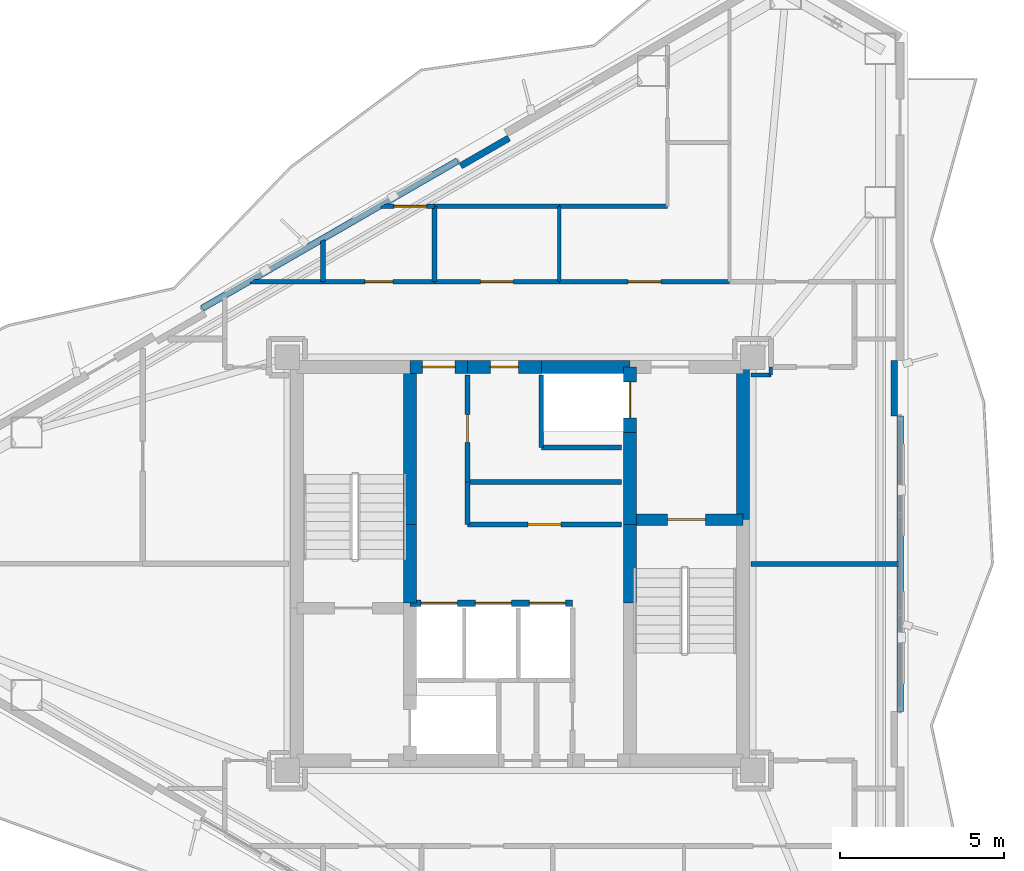
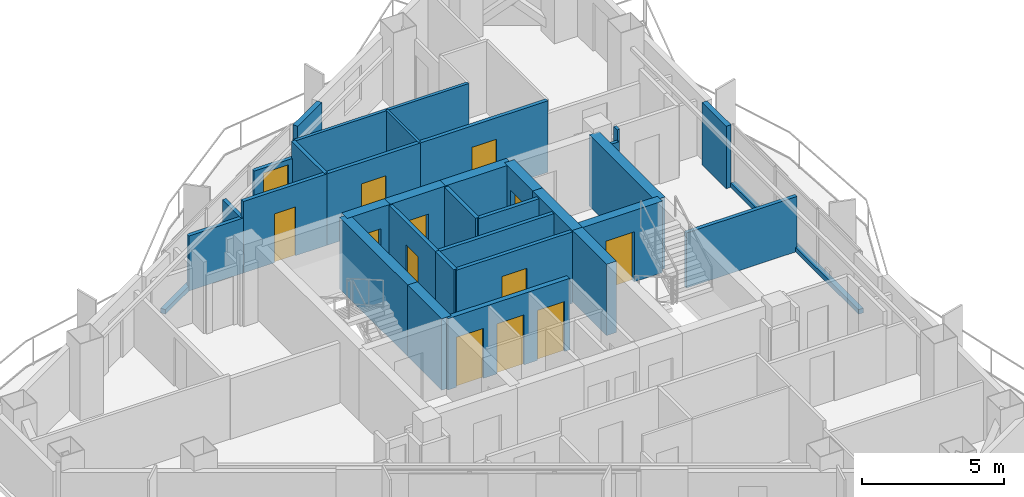
# One storey, part 18 of 21: 34 walls, 13 doors, 13 openings.
"""IFC4 building model written with IfcOpenShell, lengths in metres."""

from ifc_helpers import new_model, si_unit, direction, frame, frame_2d, origin, place, context, subcontext, project, spatial, rectangle, extrude, material, layer, layer_set, type_object, element, fill, save


model = new_model("IFC4")

# Units and contexts
model_context = context("Model", 3, precision=1e-05, world=origin(), true_north=direction((0.0, 1.0)))
body_context = subcontext(model_context, "Body", "Model", "MODEL_VIEW")
ifc_project = project(units=[si_unit("LENGTHUNIT", "METRE"), si_unit("AREAUNIT", "SQUARE_METRE"), si_unit("VOLUMEUNIT", "CUBIC_METRE"), si_unit("PLANEANGLEUNIT", "RADIAN"), si_unit("MASSUNIT", "GRAM", prefix="KILO")], contexts=[model_context])

# Site, building, storey
site_placement = place(None, origin())
site = spatial("IfcSite", under=ifc_project, at=site_placement, CompositionType="ELEMENT")
building_placement = place(site_placement, origin())
building = spatial("IfcBuilding", under=site, at=building_placement, Name="Mersakhor Tower and Convention Hall", CompositionType="ELEMENT")
storey_placement = place(building_placement, frame((0.0, 0.0, 178.800048828125)))
storey = spatial("IfcBuildingStorey", under=building, at=storey_placement, Name="L49", CompositionType="ELEMENT", Elevation=178.800048828125)

# Walls
ifc_material_1 = material(Name="Precast concrete C40/50", Category="concrete")
ifc_layer_1 = layer(ifc_material_1, 0.199951171875)
ifc_layer_set_1 = layer_set([ifc_layer_1], Name="Precast concrete C40/50")
wall_type_1 = type_object("IfcWallType", Name="WL-PAR-200", PredefinedType="PARAPET", material=ifc_layer_set_1)
wall_1_placement = place(storey_placement, frame((19.30908203125, 34.5361328125, 0.0), z_axis=(0.0, 0.0, 1.0), x_axis=(0.866020680503, 0.500008180874, 0.0)))
element("IfcWall", 1, at=wall_1_placement, inside=storey, type_object=wall_type_1, Name="L49 Curtain Wall Upstand Sill F1-B2", PredefinedType="PARAPET", context=body_context, shape_type="SweptSolid", body=[
    extrude(rectangle(XDim=8.998779296875, YDim=0.199951171875, at=frame_2d((4.49951171875, 0.0))), origin(), (0.0, 0.0, 1.0), 0.199951171875),
])
wall_2_placement = place(storey_placement, frame((27.1923828125, 38.879638671875, 0.0), z_axis=(0.0, 0.0, 1.0), x_axis=(0.866025371046, 0.500000056704, 0.0)))
element("IfcWall", 2, at=wall_2_placement, inside=storey, type_object=wall_type_1, Name="L49 Column Pier Cladding Wall F1-C2", PredefinedType="PARAPET", context=body_context, shape_type="SweptSolid", body=[
    extrude(rectangle(XDim=1.7001953125, YDim=0.199951171875, at=frame_2d((0.85009765625, 0.0))), origin(), (0.0, 0.0, 1.0), 2.68994140625),
])
wall_3_placement = place(storey_placement, frame((40.58837890625, 31.24951171875, 0.0), z_axis=(0.0, 0.0, 1.0), x_axis=(0.0, -1.0, 0.0)))
element("IfcWall", 3, at=wall_3_placement, inside=storey, type_object=wall_type_1, Name="L49 Curtain Wall Upstand Sill F2-B2", PredefinedType="PARAPET", context=body_context, shape_type="SweptSolid", body=[
    extrude(rectangle(XDim=8.9990234375, YDim=0.199951171875, at=frame_2d((4.49951171875, 0.0))), origin(), (0.0, 0.0, 1.0), 0.199951171875),
])
wall_4_placement = place(storey_placement, frame((40.408447265625, 32.949462890625, 0.0), z_axis=(0.0, 0.0, 1.0), x_axis=(0.0, -1.0, 0.0)))
element("IfcWall", 4, at=wall_4_placement, inside=storey, type_object=wall_type_1, Name="L49 Column Pier Cladding Wall F2-C1", PredefinedType="PARAPET", context=body_context, shape_type="SweptSolid", body=[
    extrude(rectangle(XDim=1.699951171875, YDim=0.199951171875, at=frame_2d((0.85009765625, 0.0))), origin(), (0.0, 0.0, 1.0), 2.68994140625),
])
ifc_material_2 = material(Name="Lightweight gypsum partition", Category="other")
ifc_layer_2 = layer(ifc_material_2, 0.10009765625)
ifc_layer_set_2 = layer_set([ifc_layer_2], Name="Lightweight gypsum partition")
wall_type_2 = type_object("IfcWallType", Name="WL-PRT-100", PredefinedType="PARTITIONING", material=ifc_layer_set_2)
wall_5_placement = place(storey_placement, frame((36.64990234375, 32.5, 0.0), z_axis=(0.0, 0.0, 1.0), x_axis=(0.0, 1.0, 0.0)))
element("IfcWall", 5, at=wall_5_placement, inside=storey, type_object=wall_type_2, Name="L49 Interior Partition Wall P-064", PredefinedType="PARTITIONING", context=body_context, shape_type="SweptSolid", body=[
    extrude(rectangle(XDim=0.25, YDim=0.10009765625, at=frame_2d((0.125, 0.0))), origin(), (0.0, 0.0, 1.0), 3.070068359375),
])
wall_6_placement = place(storey_placement, frame((30.199951171875, 37.64990234375, 0.0), z_axis=(0.0, 0.0, 1.0), x_axis=(0.0, -1.0, 0.0)))
element("IfcWall", 6, at=wall_6_placement, inside=storey, type_object=wall_type_2, Name="L49 Interior Partition Wall P-074", PredefinedType="PARTITIONING", context=body_context, shape_type="SweptSolid", body=[
    extrude(rectangle(XDim=2.2998046875, YDim=0.10009765625, at=frame_2d((1.14990234375, 0.0))), origin(), (0.0, 0.0, 1.0), 3.070068359375),
])
ifc_material_3 = material(Name="Gypsum board acoustic partition", Category="other")
ifc_layer_3 = layer(ifc_material_3, 0.125)
ifc_layer_set_3 = layer_set([ifc_layer_3], Name="Gypsum board acoustic partition")
wall_type_3 = type_object("IfcWallType", Name="WL-PRT-125", PredefinedType="PARTITIONING", material=ifc_layer_set_3)
wall_7_placement = place(storey_placement, frame((36.050048828125, 32.5, 0.0), z_axis=(0.0, 0.0, 1.0), x_axis=(1.0, 0.0, 0.0)))
element("IfcWall", 7, at=wall_7_placement, inside=storey, type_object=wall_type_3, Name="L49 Interior Partition Wall P-063", PredefinedType="PARTITIONING", context=body_context, shape_type="SweptSolid", body=[
    extrude(rectangle(XDim=0.599853515625, YDim=0.125, at=frame_2d((0.2998046875, 0.0))), origin(), (0.0, 0.0, 1.0), 2.594970703125),
])
wall_8_placement = place(storey_placement, frame((26.39990234375, 37.64990234375, 0.0), z_axis=(0.0, 0.0, 1.0), x_axis=(1.0, 0.0, 0.0)))
element("IfcWall", 8, at=wall_8_placement, inside=storey, type_object=wall_type_3, Name="L49 Interior Partition Wall P-073", PredefinedType="PARTITIONING", context=body_context, shape_type="SweptSolid", body=[
    extrude(rectangle(XDim=3.800048828125, YDim=0.125, at=frame_2d((1.89990234375, 0.0))), origin(), (0.0, 0.0, 1.0), 3.070068359375),
])
wall_9_placement = place(storey_placement, frame((33.5, 37.64990234375, 0.0), z_axis=(0.0, 0.0, 1.0), x_axis=(-1.0, 0.0, 0.0)))
element("IfcWall", 9, at=wall_9_placement, inside=storey, type_object=wall_type_3, Name="L49 Interior Partition Wall P-077", PredefinedType="PARTITIONING", context=body_context, shape_type="SweptSolid", body=[
    extrude(rectangle(XDim=3.300048828125, YDim=0.125, at=frame_2d((1.64990234375, 0.0))), origin(), (0.0, 0.0, 1.0), 3.070068359375),
])
ifc_material_4 = material(Name="Fire-rated gypsum board stud partition", Category="other")
ifc_layer_4 = layer(ifc_material_4, 0.14990234375)
ifc_layer_set_4 = layer_set([ifc_layer_4], Name="Fire-rated gypsum board stud partition")
wall_type_4 = type_object("IfcWallType", Name="WL-PRT-150", PredefinedType="PARTITIONING", material=ifc_layer_set_4)
wall_10_placement = place(storey_placement, frame((32.10009765625, 30.300048828125, 0.0), z_axis=(0.0, 0.0, 1.0), x_axis=(-1.0, 0.0, 0.0)))
element("IfcWall", 10, at=wall_10_placement, inside=storey, type_object=wall_type_4, Name="L49 Interior Partition Wall P-004", PredefinedType="PARTITIONING", context=body_context, shape_type="SweptSolid", body=[
    extrude(rectangle(XDim=2.4501953125, YDim=0.14990234375, at=frame_2d((1.22509765625, 0.0))), origin(), (0.0, 0.0, 1.0), 3.070068359375),
])
wall_11_placement = place(storey_placement, frame((29.64990234375, 30.300048828125, 0.0), z_axis=(0.0, 0.0, 1.0), x_axis=(0.0, 1.0, 0.0)))
element("IfcWall", 11, at=wall_11_placement, inside=storey, type_object=wall_type_4, Name="L49 Interior Partition Wall P-005", PredefinedType="PARTITIONING", context=body_context, shape_type="SweptSolid", body=[
    extrude(rectangle(XDim=2.199951171875, YDim=0.14990234375, at=frame_2d((1.10009765625, 0.0))), origin(), (0.0, 0.0, 1.0), 3.070068359375),
])

# Wall, opening, door
wall_12_placement = place(storey_placement, frame((27.39990234375, 32.5, 0.0), z_axis=(0.0, 0.0, 1.0), x_axis=(0.0, -1.0, 0.0)))
wall_12 = element("IfcWall", 12, at=wall_12_placement, inside=storey, type_object=wall_type_4, Name="L49 Interior Partition Wall P-013", PredefinedType="PARTITIONING", context=body_context, shape_type="SweptSolid", body=[
    extrude(rectangle(XDim=3.25, YDim=0.14990234375, at=frame_2d((1.625, 0.0))), origin(), (0.0, 0.0, 1.0), 3.070068359375),
])
opening_1_placement = place(wall_12_placement, frame((1.199951171875, 0.0, 0.0)))
opening_1 = element("IfcOpeningElement", 13, at=opening_1_placement, cuts=wall_12, Name="Opening SVD-01", PredefinedType="OPENING", context=body_context, shape_type="SweptSolid", body=[
    extrude(rectangle(XDim=0.85009765625, YDim=2.10009765625, at=frame_2d((0.425048828125, 1.050048828125))), frame((0.0, 0.0849609375, 0.0), z_axis=(0.0, -1.0, 0.0), x_axis=(1.0, 0.0, 0.0)), (0.0, 0.0, 1.0), 0.169921875),
])
ifc_material_5 = material(Name="Fire-rated hardwood leaf and painted steel frame", Category="steel")
door_type_1 = type_object("IfcDoorType", Name="DR-INT-SVC-085x210", OperationType="NOTDEFINED", PredefinedType="DOOR", material=ifc_material_5)
door_1_placement = place(opening_1_placement, origin())
door_1 = element("IfcDoor", 14, at=door_1_placement, inside=storey, type_object=door_type_1, Name="L49 Central Passenger Lift Lobby to Resident Recycling and Utility Store Door", OperationType="SINGLE_SWING_RIGHT", OverallHeight=2.10009765625, OverallWidth=0.85009765625, PredefinedType="DOOR", context=body_context, shape_type="SweptSolid", body=[
    extrude(rectangle(XDim=0.85009765625, YDim=2.10009765625, at=frame_2d((0.425048828125, 1.050048828125))), frame((0.0, 0.02490234375, 0.0), z_axis=(0.0, -1.0, 0.0), x_axis=(1.0, 0.0, 0.0)), (0.0, 0.0, 1.0), 0.050048828125),
])
fill(opening_1, door_1)

# Wall
wall_13_placement = place(storey_placement, frame((27.39990234375, 29.25, 0.0), z_axis=(0.0, 0.0, 1.0), x_axis=(0.0, -1.0, 0.0)))
element("IfcWall", 15, at=wall_13_placement, inside=storey, type_object=wall_type_4, Name="L49 Interior Partition Wall P-014", PredefinedType="PARTITIONING", context=body_context, shape_type="SweptSolid", body=[
    extrude(rectangle(XDim=1.300048828125, YDim=0.14990234375, at=frame_2d((0.64990234375, 0.0))), origin(), (0.0, 0.0, 1.0), 3.070068359375),
])

# Wall, opening, door
wall_14_placement = place(storey_placement, frame((27.39990234375, 27.949951171875, 0.0), z_axis=(0.0, 0.0, 1.0), x_axis=(1.0, 0.0, 0.0)))
wall_14 = element("IfcWall", 16, at=wall_14_placement, inside=storey, type_object=wall_type_4, Name="L49 Interior Partition Wall P-015", PredefinedType="PARTITIONING", context=body_context, shape_type="SweptSolid", body=[
    extrude(rectangle(XDim=4.7001953125, YDim=0.14990234375, at=frame_2d((2.35009765625, 0.0))), origin(), (0.0, 0.0, 1.0), 3.070068359375),
])
opening_2_placement = place(wall_14_placement, frame((1.85009765625, 0.0, 0.0)))
opening_2 = element("IfcOpeningElement", 17, at=opening_2_placement, cuts=wall_14, Name="Opening FD-01", PredefinedType="OPENING", context=body_context, shape_type="SweptSolid", body=[
    extrude(rectangle(XDim=1.0, YDim=2.14990234375, at=frame_2d((0.5, 1.074951171875))), frame((0.0, 0.0849609375, 0.0), z_axis=(0.0, -1.0, 0.0), x_axis=(1.0, 0.0, 0.0)), (0.0, 0.0, 1.0), 0.169921875),
])
ifc_material_6 = material(Name="Fire-rated hardwood leaf and painted steel frame", Category="steel")
door_type_2 = type_object("IfcDoorType", Name="DR-INT-FLT-100x215", OperationType="NOTDEFINED", PredefinedType="DOOR", material=ifc_material_6)
door_2_placement = place(opening_2_placement, origin())
door_2 = element("IfcDoor", 18, at=door_2_placement, inside=storey, type_object=door_type_2, Name="L49 Central Passenger Lift Lobby to Household Laundry Room Door", OperationType="SINGLE_SWING_LEFT", OverallHeight=2.14990234375, OverallWidth=1.0, PredefinedType="DOOR", context=body_context, shape_type="SweptSolid", body=[
    extrude(rectangle(XDim=1.0, YDim=2.14990234375, at=frame_2d((0.5, 1.074951171875))), frame((0.0, 0.02490234375, 0.0), z_axis=(0.0, -1.0, 0.0), x_axis=(1.0, 0.0, 0.0)), (0.0, 0.0, 1.0), 0.050048828125),
])
fill(opening_2, door_2)

# Wall
wall_15_placement = place(storey_placement, frame((20.7880859375, 35.35009765625, 0.0), z_axis=(0.0, 0.0, 1.0), x_axis=(1.0, 0.0, 0.0)))
element("IfcWall", 19, at=wall_15_placement, inside=storey, type_object=wall_type_4, Name="L49 Interior Partition Wall P-028", PredefinedType="PARTITIONING", context=body_context, shape_type="SweptSolid", body=[
    extrude(rectangle(XDim=2.2119140625, YDim=0.14990234375, at=frame_2d((1.10595703125, 0.0))), origin(), (0.0, 0.0, 1.0), 2.364990234375),
])

# Wall, opening, door
wall_16_placement = place(storey_placement, frame((23.0, 35.35009765625, 0.0), z_axis=(0.0, 0.0, 1.0), x_axis=(1.0, 0.0, 0.0)))
wall_16 = element("IfcWall", 20, at=wall_16_placement, inside=storey, type_object=wall_type_4, Name="L49 Interior Partition Wall P-029", PredefinedType="PARTITIONING", context=body_context, shape_type="SweptSolid", body=[
    extrude(rectangle(XDim=3.39990234375, YDim=0.14990234375, at=frame_2d((1.699951171875, 0.0))), origin(), (0.0, 0.0, 1.0), 3.070068359375),
])
opening_3_placement = place(wall_16_placement, frame((1.27490234375, 0.0, 0.0)))
opening_3 = element("IfcOpeningElement", 21, at=opening_3_placement, cuts=wall_16, Name="Opening SVD-01", PredefinedType="OPENING", context=body_context, shape_type="SweptSolid", body=[
    extrude(rectangle(XDim=0.85009765625, YDim=2.10009765625, at=frame_2d((0.425048828125, 1.050048828125))), frame((0.0, 0.0849609375, 0.0), z_axis=(0.0, -1.0, 0.0), x_axis=(1.0, 0.0, 0.0)), (0.0, 0.0, 1.0), 0.169921875),
])
door_3_placement = place(opening_3_placement, origin())
door_3 = element("IfcDoor", 22, at=door_3_placement, inside=storey, type_object=door_type_1, Name="L49 Residential North Gallery Corridor to L49 Floor Household Store Room 1-1 Door", OperationType="SINGLE_SWING_RIGHT", OverallHeight=2.10009765625, OverallWidth=0.85009765625, PredefinedType="DOOR", context=body_context, shape_type="SweptSolid", body=[
    extrude(rectangle(XDim=0.85009765625, YDim=2.10009765625, at=frame_2d((0.425048828125, 1.050048828125))), frame((0.0, 0.02490234375, 0.0), z_axis=(0.0, -1.0, 0.0), x_axis=(1.0, 0.0, 0.0)), (0.0, 0.0, 1.0), 0.050048828125),
])
fill(opening_3, door_3)

wall_17_placement = place(storey_placement, frame((26.39990234375, 35.35009765625, 0.0), z_axis=(0.0, 0.0, 1.0), x_axis=(1.0, 0.0, 0.0)))
wall_17 = element("IfcWall", 23, at=wall_17_placement, inside=storey, type_object=wall_type_4, Name="L49 Interior Partition Wall P-030", PredefinedType="PARTITIONING", context=body_context, shape_type="SweptSolid", body=[
    extrude(rectangle(XDim=3.800048828125, YDim=0.14990234375, at=frame_2d((1.89990234375, 0.0))), origin(), (0.0, 0.0, 1.0), 3.070068359375),
])
opening_4_placement = place(wall_17_placement, frame((1.39990234375, 0.0, 0.0)))
opening_4 = element("IfcOpeningElement", 24, at=opening_4_placement, cuts=wall_17, Name="Opening FD-01", PredefinedType="OPENING", context=body_context, shape_type="SweptSolid", body=[
    extrude(rectangle(XDim=1.0, YDim=2.14990234375, at=frame_2d((0.5, 1.074951171875))), frame((0.0, 0.0849609375, 0.0), z_axis=(0.0, -1.0, 0.0), x_axis=(1.0, 0.0, 0.0)), (0.0, 0.0, 1.0), 0.169921875),
])
door_4_placement = place(opening_4_placement, origin())
door_4 = element("IfcDoor", 25, at=door_4_placement, inside=storey, type_object=door_type_2, Name="L49 Residential North Gallery Corridor to L49 Floor Shared Tea Pantry 1-2 Door", OperationType="SINGLE_SWING_LEFT", OverallHeight=2.14990234375, OverallWidth=1.0, PredefinedType="DOOR", context=body_context, shape_type="SweptSolid", body=[
    extrude(rectangle(XDim=1.0, YDim=2.14990234375, at=frame_2d((0.5, 1.074951171875))), frame((0.0, 0.02490234375, 0.0), z_axis=(0.0, -1.0, 0.0), x_axis=(1.0, 0.0, 0.0)), (0.0, 0.0, 1.0), 0.050048828125),
])
fill(opening_4, door_4)

wall_18_placement = place(storey_placement, frame((30.199951171875, 35.35009765625, 0.0), z_axis=(0.0, 0.0, 1.0), x_axis=(1.0, 0.0, 0.0)))
wall_18 = element("IfcWall", 26, at=wall_18_placement, inside=storey, type_object=wall_type_4, Name="L49 Interior Partition Wall P-031", PredefinedType="PARTITIONING", context=body_context, shape_type="SweptSolid", body=[
    extrude(rectangle(XDim=5.18994140625, YDim=0.14990234375, at=frame_2d((2.594970703125, 0.0))), origin(), (0.0, 0.0, 1.0), 3.070068359375),
])
opening_5_placement = place(wall_18_placement, frame((2.094970703125, 0.0, 0.0)))
opening_5 = element("IfcOpeningElement", 27, at=opening_5_placement, cuts=wall_18, Name="Opening FD-01", PredefinedType="OPENING", context=body_context, shape_type="SweptSolid", body=[
    extrude(rectangle(XDim=1.0, YDim=2.14990234375, at=frame_2d((0.5, 1.074951171875))), frame((0.0, 0.0849609375, 0.0), z_axis=(0.0, -1.0, 0.0), x_axis=(1.0, 0.0, 0.0)), (0.0, 0.0, 1.0), 0.169921875),
])
door_5_placement = place(opening_5_placement, origin())
door_5 = element("IfcDoor", 28, at=door_5_placement, inside=storey, type_object=door_type_2, Name="L49 Residential North Gallery Corridor to L49 Floor Residents Study Room 1-4 Door", OperationType="SINGLE_SWING_RIGHT", OverallHeight=2.14990234375, OverallWidth=1.0, PredefinedType="DOOR", context=body_context, shape_type="SweptSolid", body=[
    extrude(rectangle(XDim=1.0, YDim=2.14990234375, at=frame_2d((0.5, 1.074951171875))), frame((0.0, 0.02490234375, 0.0), z_axis=(0.0, -1.0, 0.0), x_axis=(1.0, 0.0, 0.0)), (0.0, 0.0, 1.0), 0.050048828125),
])
fill(opening_5, door_5)

# Walls
wall_19_placement = place(storey_placement, frame((32.10009765625, 29.25, 0.0), z_axis=(0.0, 0.0, 1.0), x_axis=(-1.0, 0.0, 0.0)))
element("IfcWall", 29, at=wall_19_placement, inside=storey, type_object=wall_type_4, Name="L49 Interior Partition Wall P-055", PredefinedType="PARTITIONING", context=body_context, shape_type="SweptSolid", body=[
    extrude(rectangle(XDim=4.7001953125, YDim=0.14990234375, at=frame_2d((2.35009765625, 0.0))), origin(), (0.0, 0.0, 1.0), 3.070068359375),
])
wall_20_placement = place(storey_placement, frame((40.55029296875, 26.75, 0.0), z_axis=(0.0, 0.0, 1.0), x_axis=(-1.0, 0.0, 0.0)))
element("IfcWall", 30, at=wall_20_placement, inside=storey, type_object=wall_type_4, Name="L49 Interior Partition Wall P-066", PredefinedType="PARTITIONING", context=body_context, shape_type="SweptSolid", body=[
    extrude(rectangle(XDim=4.500244140625, YDim=0.14990234375, at=frame_2d((2.25, 0.0))), origin(), (0.0, 0.0, 1.0), 2.364990234375),
])

# Wall, opening, door
wall_21_placement = place(storey_placement, frame((24.771484375, 37.64990234375, 0.0), z_axis=(0.0, 0.0, 1.0), x_axis=(1.0, 0.0, 0.0)))
wall_21 = element("IfcWall", 31, at=wall_21_placement, inside=storey, type_object=wall_type_4, Name="L49 Interior Partition Wall P-070", PredefinedType="PARTITIONING", context=body_context, shape_type="SweptSolid", body=[
    extrude(rectangle(XDim=1.62841796875, YDim=0.14990234375, at=frame_2d((0.814208984375, 0.0))), origin(), (0.0, 0.0, 1.0), 2.364990234375),
])
opening_6_placement = place(wall_21_placement, frame((0.384521484375, 0.0, 0.0)))
opening_6 = element("IfcOpeningElement", 32, at=opening_6_placement, cuts=wall_21, Name="Opening FD-01", PredefinedType="OPENING", context=body_context, shape_type="SweptSolid", body=[
    extrude(rectangle(XDim=1.0, YDim=2.14990234375, at=frame_2d((0.5, 1.074951171875))), frame((0.0, 0.0849609375, 0.0), z_axis=(0.0, -1.0, 0.0), x_axis=(1.0, 0.0, 0.0)), (0.0, 0.0, 1.0), 0.169921875),
])
door_6_placement = place(opening_6_placement, origin())
door_6 = element("IfcDoor", 33, at=door_6_placement, inside=storey, type_object=door_type_2, Name="L49 L49 Floor Household Store Room 1-1 to L49 Floor Residents Study Room 1-3 Door", OperationType="SINGLE_SWING_RIGHT", OverallHeight=2.14990234375, OverallWidth=1.0, PredefinedType="DOOR", context=body_context, shape_type="SweptSolid", body=[
    extrude(rectangle(XDim=1.0, YDim=2.14990234375, at=frame_2d((0.5, 1.074951171875))), frame((0.0, 0.02490234375, 0.0), z_axis=(0.0, -1.0, 0.0), x_axis=(1.0, 0.0, 0.0)), (0.0, 0.0, 1.0), 0.050048828125),
])
fill(opening_6, door_6)

# Walls
wall_22_placement = place(storey_placement, frame((26.39990234375, 37.64990234375, 0.0), z_axis=(0.0, 0.0, 1.0), x_axis=(0.0, -1.0, 0.0)))
element("IfcWall", 34, at=wall_22_placement, inside=storey, type_object=wall_type_4, Name="L49 Interior Partition Wall P-071", PredefinedType="PARTITIONING", context=body_context, shape_type="SweptSolid", body=[
    extrude(rectangle(XDim=2.2998046875, YDim=0.14990234375, at=frame_2d((1.14990234375, 0.0))), origin(), (0.0, 0.0, 1.0), 3.070068359375),
])
wall_23_placement = place(storey_placement, frame((23.0, 35.35009765625, 0.0), z_axis=(0.0, 0.0, 1.0), x_axis=(0.0, 1.0, 0.0)))
element("IfcWall", 35, at=wall_23_placement, inside=storey, type_object=wall_type_4, Name="L49 Interior Partition Wall P-072", PredefinedType="PARTITIONING", context=body_context, shape_type="SweptSolid", body=[
    extrude(rectangle(XDim=1.27294921875, YDim=0.14990234375, at=frame_2d((0.636474609375, 0.0))), origin(), (0.0, 0.0, 1.0), 2.364990234375),
])

# Wall, openings, doors
ifc_material_7 = material(Name="Acoustic concrete blockwork and gypsum board", Category="masonry")
ifc_layer_5 = layer(ifc_material_7, 0.199951171875)
ifc_layer_set_5 = layer_set([ifc_layer_5], Name="Acoustic concrete blockwork and gypsum board")
wall_type_5 = type_object("IfcWallType", Name="WL-PRT-200", PredefinedType="PARTITIONING", material=ifc_layer_set_5)
wall_24_placement = place(storey_placement, frame((25.64990234375, 25.550048828125, 0.0), z_axis=(0.0, 0.0, 1.0), x_axis=(1.0, 0.0, 0.0)))
wall_24 = element("IfcWall", 36, at=wall_24_placement, inside=storey, type_object=wall_type_5, Name="L49 High-Rise Lift Bank Front Wall", PredefinedType="PARTITIONING", context=body_context, shape_type="SweptSolid", body=[
    extrude(rectangle(XDim=4.9501953125, YDim=0.199951171875, at=frame_2d((2.47509765625, 0.0))), origin(), (0.0, 0.0, 1.0), 3.070068359375),
])
opening_7_placement = place(wall_24_placement, frame((0.340087890625, 0.0, 0.0)))
opening_7 = element("IfcOpeningElement", 37, at=opening_7_placement, cuts=wall_24, Name="Opening LD-P4", PredefinedType="OPENING", context=body_context, shape_type="SweptSolid", body=[
    extrude(rectangle(XDim=1.10009765625, YDim=2.14990234375, at=frame_2d((0.550048828125, 1.074951171875))), frame((0.0, 0.10986328125, 0.0), z_axis=(0.0, -1.0, 0.0), x_axis=(1.0, 0.0, 0.0)), (0.0, 0.0, 1.0), 0.219970703125),
])
opening_8_placement = place(wall_24_placement, frame((1.989990234375, 0.0, 0.0)))
opening_8 = element("IfcOpeningElement", 38, at=opening_8_placement, cuts=wall_24, Name="Opening LD-P5", PredefinedType="OPENING", context=body_context, shape_type="SweptSolid", body=[
    extrude(rectangle(XDim=1.10009765625, YDim=2.14990234375, at=frame_2d((0.550048828125, 1.074951171875))), frame((0.0, 0.10986328125, 0.0), z_axis=(0.0, -1.0, 0.0), x_axis=(1.0, 0.0, 0.0)), (0.0, 0.0, 1.0), 0.219970703125),
])
opening_9_placement = place(wall_24_placement, frame((3.639892578125, 0.0, 0.0)))
opening_9 = element("IfcOpeningElement", 39, at=opening_9_placement, cuts=wall_24, Name="Opening LD-P6", PredefinedType="OPENING", context=body_context, shape_type="SweptSolid", body=[
    extrude(rectangle(XDim=1.10009765625, YDim=2.14990234375, at=frame_2d((0.550048828125, 1.074951171875))), frame((0.0, 0.10986328125, 0.0), z_axis=(0.0, -1.0, 0.0), x_axis=(1.0, 0.0, 0.0)), (0.0, 0.0, 1.0), 0.219970703125),
])
ifc_material_8 = material(Name="Fire-rated brushed stainless steel sliding landing door", Category="steel")
door_type_3 = type_object("IfcDoorType", Name="DR-LIFT-SLD-110x215", OperationType="NOTDEFINED", PredefinedType="DOOR", material=ifc_material_8)
door_7_placement = place(opening_7_placement, origin())
door_7 = element("IfcDoor", 40, at=door_7_placement, inside=storey, type_object=door_type_3, Name="L49 Lift Landing Door LD-P4", OperationType="SLIDING_TO_LEFT", OverallHeight=2.14990234375, OverallWidth=1.10009765625, PredefinedType="DOOR", context=body_context, shape_type="SweptSolid", body=[
    extrude(rectangle(XDim=1.10009765625, YDim=2.14990234375, at=frame_2d((0.550048828125, 1.074951171875))), frame((0.0, 0.02490234375, 0.0), z_axis=(0.0, -1.0, 0.0), x_axis=(1.0, 0.0, 0.0)), (0.0, 0.0, 1.0), 0.050048828125),
])
fill(opening_7, door_7)
door_8_placement = place(opening_8_placement, origin())
door_8 = element("IfcDoor", 41, at=door_8_placement, inside=storey, type_object=door_type_3, Name="L49 Lift Landing Door LD-P5", OperationType="SLIDING_TO_LEFT", OverallHeight=2.14990234375, OverallWidth=1.10009765625, PredefinedType="DOOR", context=body_context, shape_type="SweptSolid", body=[
    extrude(rectangle(XDim=1.10009765625, YDim=2.14990234375, at=frame_2d((0.550048828125, 1.074951171875))), frame((0.0, 0.02490234375, 0.0), z_axis=(0.0, -1.0, 0.0), x_axis=(1.0, 0.0, 0.0)), (0.0, 0.0, 1.0), 0.050048828125),
])
fill(opening_8, door_8)
door_9_placement = place(opening_9_placement, origin())
door_9 = element("IfcDoor", 42, at=door_9_placement, inside=storey, type_object=door_type_3, Name="L49 Lift Landing Door LD-P6", OperationType="SLIDING_TO_LEFT", OverallHeight=2.14990234375, OverallWidth=1.10009765625, PredefinedType="DOOR", context=body_context, shape_type="SweptSolid", body=[
    extrude(rectangle(XDim=1.10009765625, YDim=2.14990234375, at=frame_2d((0.550048828125, 1.074951171875))), frame((0.0, 0.02490234375, 0.0), z_axis=(0.0, -1.0, 0.0), x_axis=(1.0, 0.0, 0.0)), (0.0, 0.0, 1.0), 0.050048828125),
])
fill(opening_9, door_9)

# Wall, opening, door
ifc_material_9 = material(Name="Concrete C50/60", Category="concrete")
ifc_layer_6 = layer(ifc_material_9, 0.35009765625)
ifc_layer_set_6 = layer_set([ifc_layer_6], Name="Concrete C50/60")
wall_type_6 = type_object("IfcWallType", Name="WL-SHR-350", PredefinedType="SHEAR", material=ifc_layer_set_6)
wall_25_placement = place(storey_placement, frame((32.35009765625, 28.10009765625, 0.0), z_axis=(0.0, 0.0, 1.0), x_axis=(1.0, 0.0, 0.0)))
wall_25 = element("IfcWall", 43, at=wall_25_placement, inside=storey, type_object=wall_type_6, Name="L49 Core Wall CS-ST2-N", PredefinedType="SHEAR", context=body_context, shape_type="SweptSolid", body=[
    extrude(rectangle(XDim=3.449951171875, YDim=0.35009765625, at=frame_2d((1.72509765625, 0.0))), origin(), (0.0, 0.0, 1.0), 3.070068359375),
])
opening_10_placement = place(wall_25_placement, frame((1.14990234375, 0.0, 0.0)))
opening_10 = element("IfcOpeningElement", 44, at=opening_10_placement, cuts=wall_25, Name="Opening SD-01", PredefinedType="OPENING", context=body_context, shape_type="SweptSolid", body=[
    extrude(rectangle(XDim=1.14990234375, YDim=2.14990234375, at=frame_2d((0.574951171875, 1.074951171875))), frame((0.0, 0.18505859375, 0.0), z_axis=(0.0, -1.0, 0.0), x_axis=(1.0, 0.0, 0.0)), (0.0, 0.0, 1.0), 0.3701171875),
])
ifc_material_10 = material(Name="Fire-rated hardwood leaf and painted steel frame", Category="steel")
door_type_4 = type_object("IfcDoorType", Name="DR-INT-STAIR-115x215", OperationType="NOTDEFINED", PredefinedType="DOOR", material=ifc_material_10)
door_10_placement = place(opening_10_placement, origin())
door_10 = element("IfcDoor", 45, at=door_10_placement, inside=storey, type_object=door_type_4, Name="L49 Exit Stair ST-2 Enclosure Door", OperationType="SINGLE_SWING_RIGHT", OverallHeight=2.14990234375, OverallWidth=1.14990234375, PredefinedType="DOOR", context=body_context, shape_type="SweptSolid", body=[
    extrude(rectangle(XDim=1.14990234375, YDim=2.14990234375, at=frame_2d((0.574951171875, 1.074951171875))), frame((0.0, 0.02490234375, 0.0), z_axis=(0.0, -1.0, 0.0), x_axis=(1.0, 0.0, 0.0)), (0.0, 0.0, 1.0), 0.050048828125),
])
fill(opening_10, door_10)

ifc_material_11 = material(Name="Concrete C60/75", Category="concrete")
ifc_layer_7 = layer(ifc_material_11, 0.39990234375)
ifc_layer_set_7 = layer_set([ifc_layer_7], Name="Concrete C60/75")
wall_type_7 = type_object("IfcWallType", Name="WL-SHR-400", PredefinedType="SHEAR", material=ifc_layer_set_7)
wall_26_placement = place(storey_placement, frame((25.64990234375, 32.75, 0.0), z_axis=(0.0, 0.0, 1.0), x_axis=(1.0, 0.0, 0.0)))
wall_26 = element("IfcWall", 46, at=wall_26_placement, inside=storey, type_object=wall_type_7, Name="L49 Core Wall CW-N2A", PredefinedType="SHEAR", context=body_context, shape_type="SweptSolid", body=[
    extrude(rectangle(XDim=1.75, YDim=0.39990234375, at=frame_2d((0.875, 0.0))), origin(), (0.0, 0.0, 1.0), 3.070068359375),
])
opening_11_placement = place(wall_26_placement, frame((0.375, 0.0, 0.0)))
opening_11 = element("IfcOpeningElement", 47, at=opening_11_placement, cuts=wall_26, Name="Opening CFD-01", PredefinedType="OPENING", context=body_context, shape_type="SweptSolid", body=[
    extrude(rectangle(XDim=1.0, YDim=2.14990234375, at=frame_2d((0.5, 1.074951171875))), frame((0.0, 0.2099609375, 0.0), z_axis=(0.0, -1.0, 0.0), x_axis=(1.0, 0.0, 0.0)), (0.0, 0.0, 1.0), 0.419921875),
])
ifc_material_12 = material(Name="Fire-rated hardwood leaf and painted steel frame", Category="steel")
door_type_5 = type_object("IfcDoorType", Name="DR-CORE-FD-100x215", OperationType="NOTDEFINED", PredefinedType="DOOR", material=ifc_material_12)
door_11_placement = place(opening_11_placement, origin())
door_11 = element("IfcDoor", 48, at=door_11_placement, inside=storey, type_object=door_type_5, Name="L49 Lift Lobby North Corridor Door", OperationType="SINGLE_SWING_LEFT", OverallHeight=2.14990234375, OverallWidth=1.0, PredefinedType="DOOR", context=body_context, shape_type="SweptSolid", body=[
    extrude(rectangle(XDim=1.0, YDim=2.14990234375, at=frame_2d((0.5, 1.074951171875))), frame((0.0, 0.02490234375, 0.0), z_axis=(0.0, -1.0, 0.0), x_axis=(1.0, 0.0, 0.0)), (0.0, 0.0, 1.0), 0.050048828125),
])
fill(opening_11, door_11)

wall_27_placement = place(storey_placement, frame((27.39990234375, 32.75, 0.0), z_axis=(0.0, 0.0, 1.0), x_axis=(1.0, 0.0, 0.0)))
wall_27 = element("IfcWall", 49, at=wall_27_placement, inside=storey, type_object=wall_type_7, Name="L49 Core Wall CW-N2B", PredefinedType="SHEAR", context=body_context, shape_type="SweptSolid", body=[
    extrude(rectangle(XDim=2.25, YDim=0.39990234375, at=frame_2d((1.125, 0.0))), origin(), (0.0, 0.0, 1.0), 3.070068359375),
])
opening_12_placement = place(wall_27_placement, frame((0.699951171875, 0.0, 0.0)))
opening_12 = element("IfcOpeningElement", 50, at=opening_12_placement, cuts=wall_27, Name="Opening SVD-01", PredefinedType="OPENING", context=body_context, shape_type="SweptSolid", body=[
    extrude(rectangle(XDim=0.85009765625, YDim=2.10009765625, at=frame_2d((0.425048828125, 1.050048828125))), frame((0.0, 0.2099609375, 0.0), z_axis=(0.0, -1.0, 0.0), x_axis=(1.0, 0.0, 0.0)), (0.0, 0.0, 1.0), 0.419921875),
])
door_12_placement = place(opening_12_placement, origin())
door_12 = element("IfcDoor", 51, at=door_12_placement, inside=storey, type_object=door_type_1, Name="L49 Residential North Gallery Corridor to Resident Recycling and Utility Store Door", OperationType="SINGLE_SWING_RIGHT", OverallHeight=2.10009765625, OverallWidth=0.85009765625, PredefinedType="DOOR", context=body_context, shape_type="SweptSolid", body=[
    extrude(rectangle(XDim=0.85009765625, YDim=2.10009765625, at=frame_2d((0.425048828125, 1.050048828125))), frame((0.0, 0.02490234375, 0.0), z_axis=(0.0, -1.0, 0.0), x_axis=(1.0, 0.0, 0.0)), (0.0, 0.0, 1.0), 0.050048828125),
])
fill(opening_12, door_12)

# Walls
wall_28_placement = place(storey_placement, frame((29.64990234375, 32.75, 0.0), z_axis=(0.0, 0.0, 1.0), x_axis=(1.0, 0.0, 0.0)))
element("IfcWall", 52, at=wall_28_placement, inside=storey, type_object=wall_type_7, Name="L49 Core Wall CW-N3", PredefinedType="SHEAR", context=body_context, shape_type="SweptSolid", body=[
    extrude(rectangle(XDim=2.7001953125, YDim=0.39990234375, at=frame_2d((1.35009765625, 0.0))), origin(), (0.0, 0.0, 1.0), 3.070068359375),
])
wall_29_placement = place(storey_placement, frame((35.800048828125, 32.75, 0.0), z_axis=(0.0, 0.0, 1.0), x_axis=(0.0, -1.0, 0.0)))
element("IfcWall", 53, at=wall_29_placement, inside=storey, type_object=wall_type_7, Name="L49 Core Wall CW-E1", PredefinedType="SHEAR", context=body_context, shape_type="SweptSolid", body=[
    extrude(rectangle(XDim=4.64990234375, YDim=0.39990234375, at=frame_2d((2.324951171875, 0.0))), origin(), (0.0, 0.0, 1.0), 3.070068359375),
])
wall_30_placement = place(storey_placement, frame((25.64990234375, 25.550048828125, 0.0), z_axis=(0.0, 0.0, 1.0), x_axis=(0.0, 1.0, 0.0)))
element("IfcWall", 54, at=wall_30_placement, inside=storey, type_object=wall_type_7, Name="L49 Core Wall CS-W-LOB", PredefinedType="SHEAR", context=body_context, shape_type="SweptSolid", body=[
    extrude(rectangle(XDim=2.39990234375, YDim=0.39990234375, at=frame_2d((1.199951171875, 0.0))), origin(), (0.0, 0.0, 1.0), 3.070068359375),
])
wall_31_placement = place(storey_placement, frame((25.64990234375, 27.949951171875, 0.0), z_axis=(0.0, 0.0, 1.0), x_axis=(0.0, 1.0, 0.0)))
element("IfcWall", 55, at=wall_31_placement, inside=storey, type_object=wall_type_7, Name="L49 Core Wall CS-W-ST1", PredefinedType="SHEAR", context=body_context, shape_type="SweptSolid", body=[
    extrude(rectangle(XDim=4.800048828125, YDim=0.39990234375, at=frame_2d((2.39990234375, 0.0))), origin(), (0.0, 0.0, 1.0), 3.070068359375),
])
wall_32_placement = place(storey_placement, frame((32.35009765625, 25.550048828125, 0.0), z_axis=(0.0, 0.0, 1.0), x_axis=(0.0, 1.0, 0.0)))
element("IfcWall", 56, at=wall_32_placement, inside=storey, type_object=wall_type_7, Name="L49 Core Wall CS-E-LOB", PredefinedType="SHEAR", context=body_context, shape_type="SweptSolid", body=[
    extrude(rectangle(XDim=2.39990234375, YDim=0.39990234375, at=frame_2d((1.199951171875, 0.0))), origin(), (0.0, 0.0, 1.0), 3.070068359375),
])
wall_33_placement = place(storey_placement, frame((32.35009765625, 27.949951171875, 0.0), z_axis=(0.0, 0.0, 1.0), x_axis=(0.0, 1.0, 0.0)))
element("IfcWall", 57, at=wall_33_placement, inside=storey, type_object=wall_type_7, Name="L49 Core Wall CS-E-MID", PredefinedType="SHEAR", context=body_context, shape_type="SweptSolid", body=[
    extrude(rectangle(XDim=2.800048828125, YDim=0.39990234375, at=frame_2d((1.39990234375, 0.0))), origin(), (0.0, 0.0, 1.0), 3.070068359375),
])

# Wall, opening, door
wall_34_placement = place(storey_placement, frame((32.35009765625, 30.75, 0.0), z_axis=(0.0, 0.0, 1.0), x_axis=(0.0, 1.0, 0.0)))
wall_34 = element("IfcWall", 58, at=wall_34_placement, inside=storey, type_object=wall_type_7, Name="L49 Core Wall CS-E-FFL", PredefinedType="SHEAR", context=body_context, shape_type="SweptSolid", body=[
    extrude(rectangle(XDim=2.0, YDim=0.39990234375, at=frame_2d((1.0, 0.0))), origin(), (0.0, 0.0, 1.0), 3.070068359375),
])
opening_13_placement = place(wall_34_placement, frame((0.449951171875, 0.0, 0.0)))
opening_13 = element("IfcOpeningElement", 59, at=opening_13_placement, cuts=wall_34, Name="Opening LD-FFL2", PredefinedType="OPENING", context=body_context, shape_type="SweptSolid", body=[
    extrude(rectangle(XDim=1.10009765625, YDim=2.14990234375, at=frame_2d((0.550048828125, 1.074951171875))), frame((0.0, 0.2099609375, 0.0), z_axis=(0.0, -1.0, 0.0), x_axis=(1.0, 0.0, 0.0)), (0.0, 0.0, 1.0), 0.419921875),
])
door_13_placement = place(opening_13_placement, origin())
door_13 = element("IfcDoor", 60, at=door_13_placement, inside=storey, type_object=door_type_3, Name="L49 Firefighting Lift Landing Door LD-FFL2", OperationType="SLIDING_TO_LEFT", OverallHeight=2.14990234375, OverallWidth=1.10009765625, PredefinedType="DOOR", context=body_context, shape_type="SweptSolid", body=[
    extrude(rectangle(XDim=1.10009765625, YDim=2.14990234375, at=frame_2d((0.550048828125, 1.074951171875))), frame((0.0, 0.02490234375, 0.0), z_axis=(0.0, -1.0, 0.0), x_axis=(1.0, 0.0, 0.0)), (0.0, 0.0, 1.0), 0.050048828125),
])
fill(opening_13, door_13)

save(model, "model.ifc")
